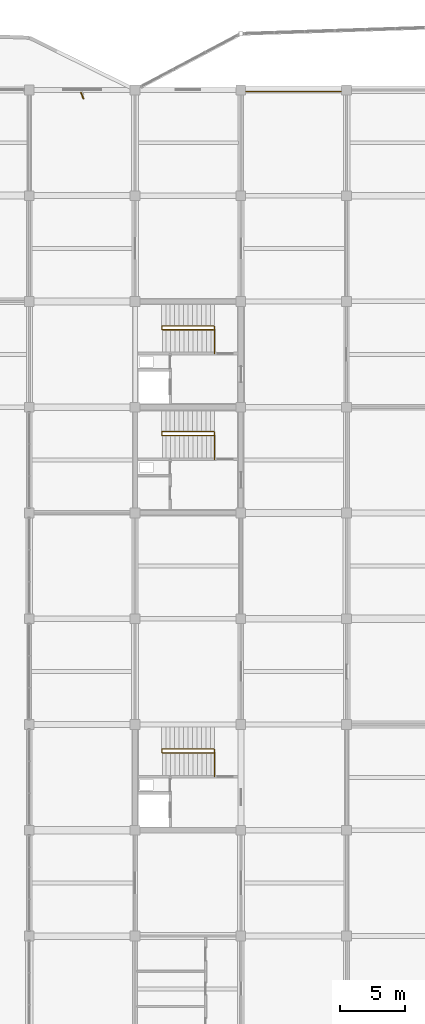
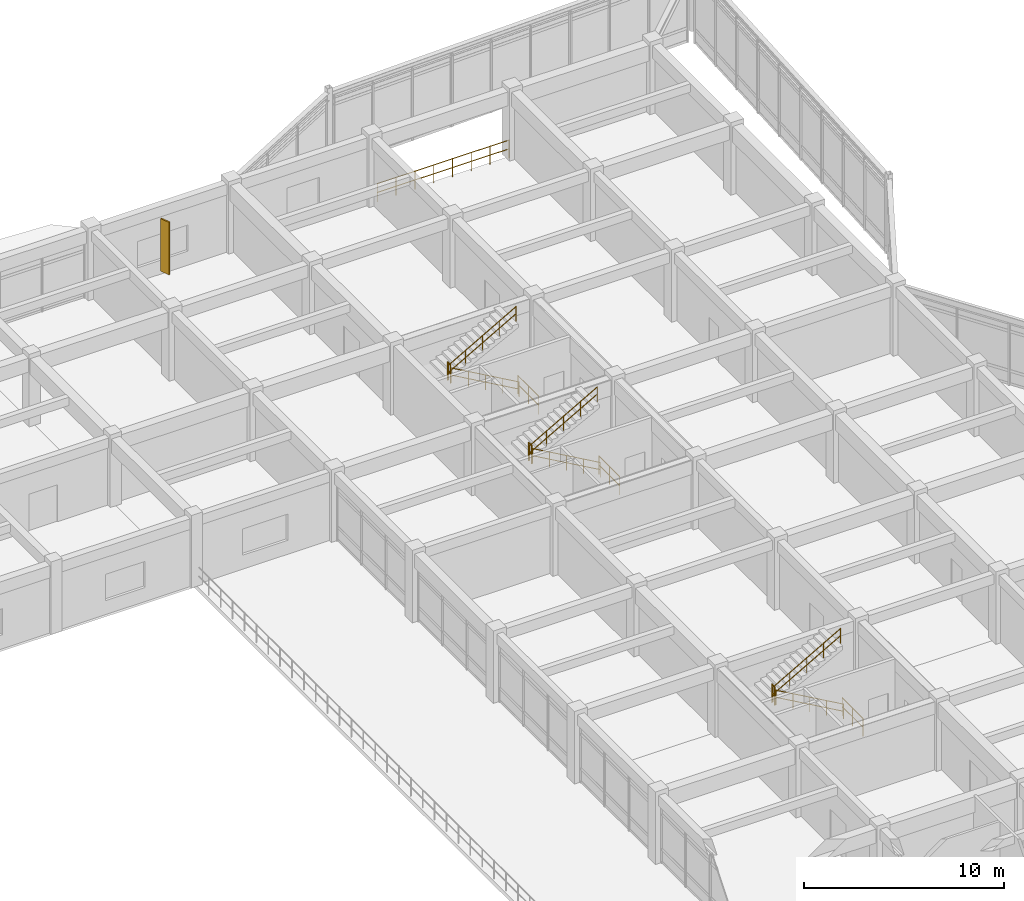
# One storey, part 70 of 70: 13 railings, 1 shading device.
"""IFC4 building model written with IfcOpenShell, lengths in metres."""

from ifc_helpers import new_model, si_unit, direction, frame, origin, origin_2d, place, context, subcontext, project, spatial, rectangle, circle, extrude, material, type_object, element, save


model = new_model("IFC4")

# Units and contexts
model_context = context("Model", 3, precision=1e-05, world=origin(), true_north=direction((0.0, 1.0)))
body_context = subcontext(model_context, "Body", "Model", "MODEL_VIEW")
ifc_project = project(units=[si_unit("LENGTHUNIT", "METRE"), si_unit("AREAUNIT", "SQUARE_METRE"), si_unit("VOLUMEUNIT", "CUBIC_METRE"), si_unit("PLANEANGLEUNIT", "RADIAN"), si_unit("MASSUNIT", "GRAM", prefix="KILO")], contexts=[model_context])

# Site, building, storey
site_placement = place(None, origin())
site = spatial("IfcSite", under=ifc_project, at=site_placement, CompositionType="ELEMENT")
building_placement = place(site_placement, origin())
building = spatial("IfcBuilding", under=site, at=building_placement, Name="Vaudrelin Polytechnic", CompositionType="ELEMENT")
storey_placement = place(building_placement, frame((0.0, 0.0, 14.110107421875)))
storey = spatial("IfcBuildingStorey", under=building, at=storey_placement, Name="L03", CompositionType="ELEMENT", Elevation=14.110107421875)

# Shading device
ifc_material_1 = material(Name="Anodised perforated aluminium AA 5005", Category="aluminium")
shading_device_type = type_object("IfcShadingDeviceType", Name="ENV-SF-FIN1", PredefinedType="USERDEFINED", material=ifc_material_1)
shading_device_placement = place(storey_placement, frame((141.75, 121.06494140625, 0.19970703125), z_axis=(0.0, 0.0, 1.0), x_axis=(0.374606593416, -0.927183854567, 0.0)))
element("IfcShadingDevice", 1, at=shading_device_placement, inside=storey, type_object=shading_device_type, Name="Perforated solar fin SF-032", ObjectType="SOLAR FIN", PredefinedType="USERDEFINED", context=body_context, shape_type="SweptSolid", body=[
    extrude(rectangle(XDim=0.550048828125, YDim=0.080078125, at=origin_2d()), origin(), (0.0, 0.0, 1.0), 3.199951171875),
])

# Railings
ifc_material_2 = material(Name="Brushed stainless steel AISI 304", Category="steel")
railing_type_1 = type_object("IfcRailingType", Name="RAL-GR-INT", PredefinedType="GUARDRAIL", material=ifc_material_2)
railing_1_placement = place(storey_placement, frame((151.8798828125, 101.31005859375, 0.0)))
element("IfcRailing", 2, at=railing_1_placement, inside=storey, type_object=railing_type_1, Name="ST-06-L02 upper well guardrail", PredefinedType="GUARDRAIL", context=body_context, shape_type="SweptSolid", body=[
    extrude(circle(Radius=0.02392578125, at=origin_2d()), frame((0.0, 0.023193359375, 1.09619140625), z_axis=(0.0, 1.0, 0.0), x_axis=(-1.0, 0.0, 0.0)), (0.0, 0.0, 1.0), 2.023681640625),
    extrude(circle(Radius=0.02392578125, at=origin_2d()), frame((0.0, 0.023193359375, 0.56005859375), z_axis=(0.0, 1.0, 0.0), x_axis=(-1.0, 0.0, 0.0)), (0.0, 0.0, 1.0), 2.023681640625),
    extrude(circle(Radius=0.02099609375, at=origin_2d()), origin(), (0.0, 0.0, 1.0), 1.1201171875),
    extrude(circle(Radius=0.02099609375, at=origin_2d()), frame((0.0, 1.034912109375, 0.0)), (0.0, 0.0, 1.0), 1.1201171875),
    extrude(circle(Radius=0.02099609375, at=origin_2d()), frame((0.0, 2.06982421875, 0.0)), (0.0, 0.0, 1.0), 1.1201171875),
])
railing_2_placement = place(storey_placement, frame((147.85009765625, 103.139892578125, 2.2099609375)))
element("IfcRailing", 3, at=railing_2_placement, inside=storey, type_object=railing_type_1, Name="ST-06-L03 landing well guardrail", PredefinedType="GUARDRAIL", context=body_context, shape_type="SweptSolid", body=[
    extrude(circle(Radius=0.02392578125, at=origin_2d()), frame((0.0, 0.023193359375, 1.09619140625), z_axis=(0.0, 1.0, 0.0), x_axis=(-1.0, 0.0, 0.0)), (0.0, 0.0, 1.0), 0.23388671875),
    extrude(circle(Radius=0.02392578125, at=origin_2d()), frame((0.0, 0.023193359375, 0.56005859375), z_axis=(0.0, 1.0, 0.0), x_axis=(-1.0, 0.0, 0.0)), (0.0, 0.0, 1.0), 0.23388671875),
    extrude(circle(Radius=0.02099609375, at=origin_2d()), origin(), (0.0, 0.0, 1.0), 1.1201171875),
    extrude(circle(Radius=0.02099609375, at=origin_2d()), frame((0.0, 0.280029296875, 0.0)), (0.0, 0.0, 1.0), 1.1201171875),
])
railing_3_placement = place(storey_placement, frame((151.8798828125, 68.909912109375, 0.0)))
element("IfcRailing", 4, at=railing_3_placement, inside=storey, type_object=railing_type_1, Name="ST-07-L02 upper well guardrail", PredefinedType="GUARDRAIL", context=body_context, shape_type="SweptSolid", body=[
    extrude(circle(Radius=0.02392578125, at=origin_2d()), frame((0.0, 0.023193359375, 1.09619140625), z_axis=(0.0, 1.0, 0.0), x_axis=(-1.0, 0.0, 0.0)), (0.0, 0.0, 1.0), 2.02392578125),
    extrude(circle(Radius=0.02392578125, at=origin_2d()), frame((0.0, 0.023193359375, 0.56005859375), z_axis=(0.0, 1.0, 0.0), x_axis=(-1.0, 0.0, 0.0)), (0.0, 0.0, 1.0), 2.02392578125),
    extrude(circle(Radius=0.02099609375, at=origin_2d()), origin(), (0.0, 0.0, 1.0), 1.1201171875),
    extrude(circle(Radius=0.02099609375, at=origin_2d()), frame((0.0, 1.03515625, 0.0)), (0.0, 0.0, 1.0), 1.1201171875),
    extrude(circle(Radius=0.02099609375, at=origin_2d()), frame((0.0, 2.070068359375, 0.0)), (0.0, 0.0, 1.0), 1.1201171875),
])
railing_4_placement = place(storey_placement, frame((147.85009765625, 70.739990234375, 2.2099609375)))
element("IfcRailing", 5, at=railing_4_placement, inside=storey, type_object=railing_type_1, Name="ST-07-L03 landing well guardrail", PredefinedType="GUARDRAIL", context=body_context, shape_type="SweptSolid", body=[
    extrude(circle(Radius=0.02392578125, at=origin_2d()), frame((0.0, 0.023193359375, 1.09619140625), z_axis=(0.0, 1.0, 0.0), x_axis=(-1.0, 0.0, 0.0)), (0.0, 0.0, 1.0), 0.23388671875),
    extrude(circle(Radius=0.02392578125, at=origin_2d()), frame((0.0, 0.023193359375, 0.56005859375), z_axis=(0.0, 1.0, 0.0), x_axis=(-1.0, 0.0, 0.0)), (0.0, 0.0, 1.0), 0.23388671875),
    extrude(circle(Radius=0.02099609375, at=origin_2d()), origin(), (0.0, 0.0, 1.0), 1.1201171875),
    extrude(circle(Radius=0.02099609375, at=origin_2d()), frame((0.0, 0.280029296875, 0.0)), (0.0, 0.0, 1.0), 1.1201171875),
])
railing_5_placement = place(storey_placement, frame((151.8798828125, 93.2099609375, 0.0)))
element("IfcRailing", 6, at=railing_5_placement, inside=storey, type_object=railing_type_1, Name="ST-13-L02 upper well guardrail", PredefinedType="GUARDRAIL", context=body_context, shape_type="SweptSolid", body=[
    extrude(circle(Radius=0.02392578125, at=origin_2d()), frame((0.0, 0.023193359375, 1.09619140625), z_axis=(0.0, 1.0, 0.0), x_axis=(-1.0, 0.0, 0.0)), (0.0, 0.0, 1.0), 2.02392578125),
    extrude(circle(Radius=0.02392578125, at=origin_2d()), frame((0.0, 0.023193359375, 0.56005859375), z_axis=(0.0, 1.0, 0.0), x_axis=(-1.0, 0.0, 0.0)), (0.0, 0.0, 1.0), 2.02392578125),
    extrude(circle(Radius=0.02099609375, at=origin_2d()), origin(), (0.0, 0.0, 1.0), 1.1201171875),
    extrude(circle(Radius=0.02099609375, at=origin_2d()), frame((0.0, 1.03515625, 0.0)), (0.0, 0.0, 1.0), 1.1201171875),
    extrude(circle(Radius=0.02099609375, at=origin_2d()), frame((0.0, 2.070068359375, 0.0)), (0.0, 0.0, 1.0), 1.1201171875),
])
railing_6_placement = place(storey_placement, frame((147.85009765625, 95.0400390625, 2.2099609375)))
element("IfcRailing", 7, at=railing_6_placement, inside=storey, type_object=railing_type_1, Name="ST-13-L03 landing well guardrail", PredefinedType="GUARDRAIL", context=body_context, shape_type="SweptSolid", body=[
    extrude(circle(Radius=0.02392578125, at=origin_2d()), frame((0.0, 0.023193359375, 1.09619140625), z_axis=(0.0, 1.0, 0.0), x_axis=(-1.0, 0.0, 0.0)), (0.0, 0.0, 1.0), 0.23388671875),
    extrude(circle(Radius=0.02392578125, at=origin_2d()), frame((0.0, 0.023193359375, 0.56005859375), z_axis=(0.0, 1.0, 0.0), x_axis=(-1.0, 0.0, 0.0)), (0.0, 0.0, 1.0), 0.23388671875),
    extrude(circle(Radius=0.02099609375, at=origin_2d()), origin(), (0.0, 0.0, 1.0), 1.1201171875),
    extrude(circle(Radius=0.02099609375, at=origin_2d()), frame((0.0, 0.280029296875, 0.0)), (0.0, 0.0, 1.0), 1.1201171875),
])
railing_7_placement = place(storey_placement, frame((154.14990234375, 121.3798828125, 0.0)))
element("IfcRailing", 8, at=railing_7_placement, inside=storey, type_object=railing_type_1, Name="NE innovation prow atrium overlook guardrail L03", PredefinedType="GUARDRAIL", context=body_context, shape_type="SweptSolid", body=[
    extrude(circle(Radius=0.02392578125, at=origin_2d()), frame((0.023193359375, 0.0, 1.09619140625), z_axis=(1.0, 0.0, 0.0), x_axis=(0.0, 1.0, 0.0)), (0.0, 0.0, 1.0), 7.553955078125),
    extrude(circle(Radius=0.02392578125, at=origin_2d()), frame((0.023193359375, 0.0, 0.56005859375), z_axis=(1.0, 0.0, 0.0), x_axis=(0.0, 1.0, 0.0)), (0.0, 0.0, 1.0), 7.553955078125),
    extrude(circle(Radius=0.02099609375, at=origin_2d()), origin(), (0.0, 0.0, 1.0), 1.1201171875),
    extrude(circle(Radius=0.02099609375, at=origin_2d()), frame((1.085693359375, 0.0, 0.0)), (0.0, 0.0, 1.0), 1.1201171875),
    extrude(circle(Radius=0.02099609375, at=origin_2d()), frame((2.17138671875, 0.0, 0.0)), (0.0, 0.0, 1.0), 1.1201171875),
    extrude(circle(Radius=0.02099609375, at=origin_2d()), frame((3.257080078125, 0.0, 0.0)), (0.0, 0.0, 1.0), 1.1201171875),
    extrude(circle(Radius=0.02099609375, at=origin_2d()), frame((4.343017578125, 0.0, 0.0)), (0.0, 0.0, 1.0), 1.1201171875),
    extrude(circle(Radius=0.02099609375, at=origin_2d()), frame((5.4287109375, 0.0, 0.0)), (0.0, 0.0, 1.0), 1.1201171875),
    extrude(circle(Radius=0.02099609375, at=origin_2d()), frame((6.514404296875, 0.0, 0.0)), (0.0, 0.0, 1.0), 1.1201171875),
    extrude(circle(Radius=0.02099609375, at=origin_2d()), frame((7.60009765625, 0.0, 0.0)), (0.0, 0.0, 1.0), 1.1201171875),
])
railing_type_2 = type_object("IfcRailingType", Name="RAL-HR-STR", PredefinedType="HANDRAIL", material=ifc_material_2)
railing_8_placement = place(storey_placement, frame((151.800048828125, 103.1298828125, 0.0)))
element("IfcRailing", 9, at=railing_8_placement, inside=storey, type_object=railing_type_2, Name="ST-06-L03 flight 1 handrail", PredefinedType="HANDRAIL", context=body_context, shape_type="SweptSolid", body=[
    extrude(circle(Radius=0.02392578125, at=origin_2d()), frame((-0.02001953125, 0.0, 0.9072265625), z_axis=(-0.869489581884, 0.0, 0.493951279981), x_axis=(0.0, -1.0, 0.0)), (0.0, 0.0, 1.0), 4.427734375),
    extrude(circle(Radius=0.02392578125, at=origin_2d()), frame((-0.02001953125, 0.0, 0.471435546875), z_axis=(-0.869489581884, 0.0, 0.493951279981), x_axis=(0.0, -1.0, 0.0)), (0.0, 0.0, 1.0), 4.427734375),
    extrude(circle(Radius=0.02099609375, at=origin_2d()), origin(), (0.0, 0.0, 1.0), 0.919921875),
    extrude(circle(Radius=0.02099609375, at=origin_2d()), frame((-0.97265625, 0.0, 0.552490234375)), (0.0, 0.0, 1.0), 0.919921875),
    extrude(circle(Radius=0.02099609375, at=origin_2d()), frame((-1.945068359375, 0.0, 1.10498046875)), (0.0, 0.0, 1.0), 0.919921875),
    extrude(circle(Radius=0.02099609375, at=origin_2d()), frame((-2.91748046875, 0.0, 1.657470703125)), (0.0, 0.0, 1.0), 0.919921875),
    extrude(circle(Radius=0.02099609375, at=origin_2d()), frame((-3.89013671875, 0.0, 2.2099609375)), (0.0, 0.0, 1.0), 0.919921875),
])
railing_9_placement = place(storey_placement, frame((147.909912109375, 103.429931640625, 2.2099609375)))
element("IfcRailing", 10, at=railing_9_placement, inside=storey, type_object=railing_type_2, Name="ST-06-L03 flight 2 handrail", PredefinedType="HANDRAIL", context=body_context, shape_type="SweptSolid", body=[
    extrude(circle(Radius=0.02392578125, at=origin_2d()), frame((0.02001953125, 0.0, 0.9072265625), z_axis=(0.869489581884, 0.0, 0.493951279981), x_axis=(0.0, 1.0, 0.0)), (0.0, 0.0, 1.0), 4.427734375),
    extrude(circle(Radius=0.02392578125, at=origin_2d()), frame((0.02001953125, 0.0, 0.471435546875), z_axis=(0.869489581884, 0.0, 0.493951279981), x_axis=(0.0, 1.0, 0.0)), (0.0, 0.0, 1.0), 4.427734375),
    extrude(circle(Radius=0.02099609375, at=origin_2d()), origin(), (0.0, 0.0, 1.0), 0.919921875),
    extrude(circle(Radius=0.02099609375, at=origin_2d()), frame((0.97265625, 0.0, 0.552490234375)), (0.0, 0.0, 1.0), 0.919921875),
    extrude(circle(Radius=0.02099609375, at=origin_2d()), frame((1.945068359375, 0.0, 1.10498046875)), (0.0, 0.0, 1.0), 0.919921875),
    extrude(circle(Radius=0.02099609375, at=origin_2d()), frame((2.91748046875, 0.0, 1.657470703125)), (0.0, 0.0, 1.0), 0.919921875),
    extrude(circle(Radius=0.02099609375, at=origin_2d()), frame((3.89013671875, 0.0, 2.2099609375)), (0.0, 0.0, 1.0), 0.919921875),
])
railing_10_placement = place(storey_placement, frame((151.800048828125, 70.72998046875, 0.0)))
element("IfcRailing", 11, at=railing_10_placement, inside=storey, type_object=railing_type_2, Name="ST-07-L03 flight 1 handrail", PredefinedType="HANDRAIL", context=body_context, shape_type="SweptSolid", body=[
    extrude(circle(Radius=0.02392578125, at=origin_2d()), frame((-0.02001953125, 0.0, 0.9072265625), z_axis=(-0.869489581884, 0.0, 0.493951279981), x_axis=(0.0, -1.0, 0.0)), (0.0, 0.0, 1.0), 4.427734375),
    extrude(circle(Radius=0.02392578125, at=origin_2d()), frame((-0.02001953125, 0.0, 0.471435546875), z_axis=(-0.869489581884, 0.0, 0.493951279981), x_axis=(0.0, -1.0, 0.0)), (0.0, 0.0, 1.0), 4.427734375),
    extrude(circle(Radius=0.02099609375, at=origin_2d()), origin(), (0.0, 0.0, 1.0), 0.919921875),
    extrude(circle(Radius=0.02099609375, at=origin_2d()), frame((-0.97265625, 0.0, 0.552490234375)), (0.0, 0.0, 1.0), 0.919921875),
    extrude(circle(Radius=0.02099609375, at=origin_2d()), frame((-1.945068359375, 0.0, 1.10498046875)), (0.0, 0.0, 1.0), 0.919921875),
    extrude(circle(Radius=0.02099609375, at=origin_2d()), frame((-2.91748046875, 0.0, 1.657470703125)), (0.0, 0.0, 1.0), 0.919921875),
    extrude(circle(Radius=0.02099609375, at=origin_2d()), frame((-3.89013671875, 0.0, 2.2099609375)), (0.0, 0.0, 1.0), 0.919921875),
])
railing_11_placement = place(storey_placement, frame((147.909912109375, 71.030029296875, 2.2099609375)))
element("IfcRailing", 12, at=railing_11_placement, inside=storey, type_object=railing_type_2, Name="ST-07-L03 flight 2 handrail", PredefinedType="HANDRAIL", context=body_context, shape_type="SweptSolid", body=[
    extrude(circle(Radius=0.02392578125, at=origin_2d()), frame((0.02001953125, 0.0, 0.9072265625), z_axis=(0.869489581884, 0.0, 0.493951279981), x_axis=(0.0, 1.0, 0.0)), (0.0, 0.0, 1.0), 4.427734375),
    extrude(circle(Radius=0.02392578125, at=origin_2d()), frame((0.02001953125, 0.0, 0.471435546875), z_axis=(0.869489581884, 0.0, 0.493951279981), x_axis=(0.0, 1.0, 0.0)), (0.0, 0.0, 1.0), 4.427734375),
    extrude(circle(Radius=0.02099609375, at=origin_2d()), origin(), (0.0, 0.0, 1.0), 0.919921875),
    extrude(circle(Radius=0.02099609375, at=origin_2d()), frame((0.97265625, 0.0, 0.552490234375)), (0.0, 0.0, 1.0), 0.919921875),
    extrude(circle(Radius=0.02099609375, at=origin_2d()), frame((1.945068359375, 0.0, 1.10498046875)), (0.0, 0.0, 1.0), 0.919921875),
    extrude(circle(Radius=0.02099609375, at=origin_2d()), frame((2.91748046875, 0.0, 1.657470703125)), (0.0, 0.0, 1.0), 0.919921875),
    extrude(circle(Radius=0.02099609375, at=origin_2d()), frame((3.89013671875, 0.0, 2.2099609375)), (0.0, 0.0, 1.0), 0.919921875),
])
railing_12_placement = place(storey_placement, frame((151.800048828125, 95.030029296875, 0.0)))
element("IfcRailing", 13, at=railing_12_placement, inside=storey, type_object=railing_type_2, Name="ST-13-L03 flight 1 handrail", PredefinedType="HANDRAIL", context=body_context, shape_type="SweptSolid", body=[
    extrude(circle(Radius=0.02392578125, at=origin_2d()), frame((-0.02001953125, 0.0, 0.9072265625), z_axis=(-0.869489581884, 0.0, 0.493951279981), x_axis=(0.0, -1.0, 0.0)), (0.0, 0.0, 1.0), 4.427734375),
    extrude(circle(Radius=0.02392578125, at=origin_2d()), frame((-0.02001953125, 0.0, 0.471435546875), z_axis=(-0.869489581884, 0.0, 0.493951279981), x_axis=(0.0, -1.0, 0.0)), (0.0, 0.0, 1.0), 4.427734375),
    extrude(circle(Radius=0.02099609375, at=origin_2d()), origin(), (0.0, 0.0, 1.0), 0.919921875),
    extrude(circle(Radius=0.02099609375, at=origin_2d()), frame((-0.97265625, 0.0, 0.552490234375)), (0.0, 0.0, 1.0), 0.919921875),
    extrude(circle(Radius=0.02099609375, at=origin_2d()), frame((-1.945068359375, 0.0, 1.10498046875)), (0.0, 0.0, 1.0), 0.919921875),
    extrude(circle(Radius=0.02099609375, at=origin_2d()), frame((-2.91748046875, 0.0, 1.657470703125)), (0.0, 0.0, 1.0), 0.919921875),
    extrude(circle(Radius=0.02099609375, at=origin_2d()), frame((-3.89013671875, 0.0, 2.2099609375)), (0.0, 0.0, 1.0), 0.919921875),
])
railing_13_placement = place(storey_placement, frame((147.909912109375, 95.330078125, 2.2099609375)))
element("IfcRailing", 14, at=railing_13_placement, inside=storey, type_object=railing_type_2, Name="ST-13-L03 flight 2 handrail", PredefinedType="HANDRAIL", context=body_context, shape_type="SweptSolid", body=[
    extrude(circle(Radius=0.02392578125, at=origin_2d()), frame((0.02001953125, 0.0, 0.9072265625), z_axis=(0.869489581884, 0.0, 0.493951279981), x_axis=(0.0, 1.0, 0.0)), (0.0, 0.0, 1.0), 4.427734375),
    extrude(circle(Radius=0.02392578125, at=origin_2d()), frame((0.02001953125, 0.0, 0.471435546875), z_axis=(0.869489581884, 0.0, 0.493951279981), x_axis=(0.0, 1.0, 0.0)), (0.0, 0.0, 1.0), 4.427734375),
    extrude(circle(Radius=0.02099609375, at=origin_2d()), origin(), (0.0, 0.0, 1.0), 0.919921875),
    extrude(circle(Radius=0.02099609375, at=origin_2d()), frame((0.97265625, 0.0, 0.552490234375)), (0.0, 0.0, 1.0), 0.919921875),
    extrude(circle(Radius=0.02099609375, at=origin_2d()), frame((1.945068359375, 0.0, 1.10498046875)), (0.0, 0.0, 1.0), 0.919921875),
    extrude(circle(Radius=0.02099609375, at=origin_2d()), frame((2.91748046875, 0.0, 1.657470703125)), (0.0, 0.0, 1.0), 0.919921875),
    extrude(circle(Radius=0.02099609375, at=origin_2d()), frame((3.89013671875, 0.0, 2.2099609375)), (0.0, 0.0, 1.0), 0.919921875),
])

save(model, "model.ifc")
